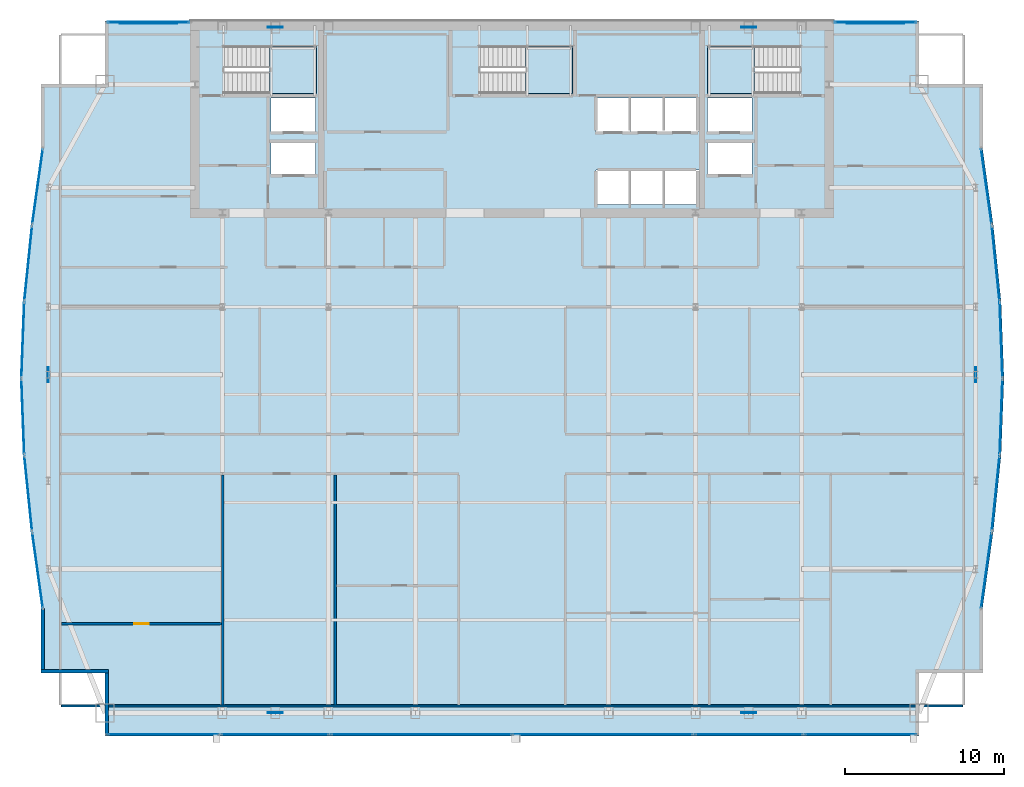
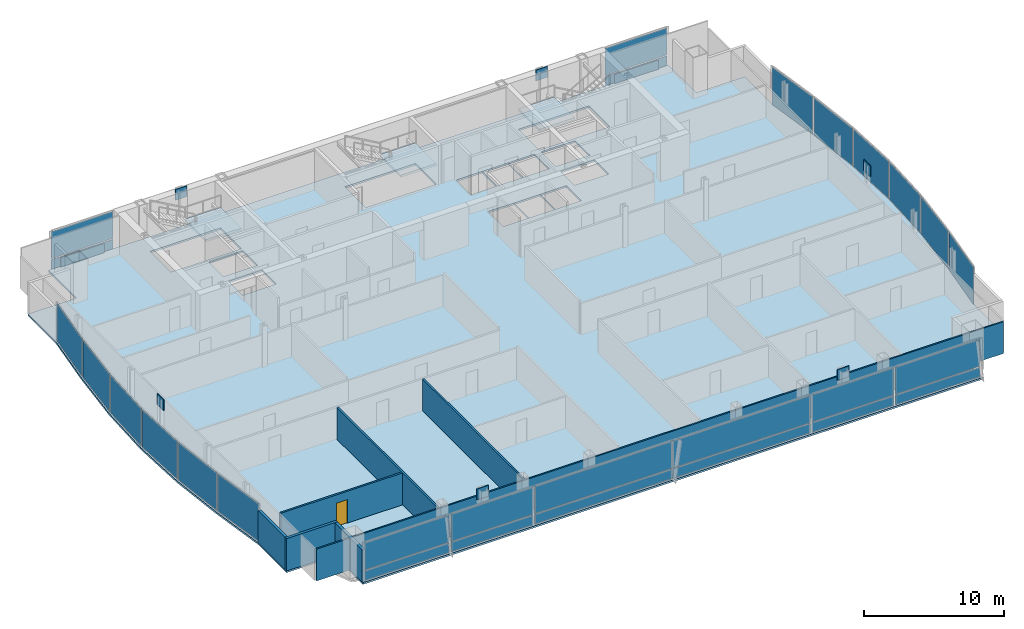
# One storey, part 26 of 32: 36 plates, 7 walls, 4 slabs, 1 door, 1 opening, 22 elements without a shape of their own.
"""IFC4 building model written with IfcOpenShell, lengths in metres."""

import ifcopenshell
import ifcopenshell.guid

model = None  # the IFC model being written
_history = None  # IfcOwnerHistory: only IFC2X3 demands one
_inside = {}  # id of a spatial element -> (the spatial element, [elements in it])
_under = {}  # id of a project, library or spatial element -> (it, [spatial elements below it])
_declared = {}  # id of a project -> (the project, [libraries it declares])
_typed = {}  # id of a type object -> (the type object, [elements of that type])
_made_of = {}  # id of a material, layer set ... -> (it, [elements and type objects made of it])


def new_model(schema):
    """Start an empty IFC model of exactly this schema.

    Asked for "IFC4X3", IfcOpenShell would pick the latest addendum, in which some entities
    have other attributes; the version numbers below select the first issue.
    IFC2X3 requires an IfcOwnerHistory on every rooted entity: one is made here for all.
    """
    global model, _history
    if schema == "IFC4X3":
        model = ifcopenshell.file(schema_version=(4, 3, 0, 0))
    else:
        model = ifcopenshell.file(schema=schema)
    _inside.clear()
    _under.clear()
    _declared.clear()
    _typed.clear()
    _made_of.clear()
    _history = None
    if model.schema == "IFC2X3":
        org = make("IfcOrganization", Name="unknown")
        user = make(
            "IfcPersonAndOrganization",
            ThePerson=make("IfcPerson", FamilyName="unknown"),
            TheOrganization=org,
        )
        app = make(
            "IfcApplication",
            ApplicationDeveloper=org,
            Version="unknown",
            ApplicationFullName="unknown",
            ApplicationIdentifier="unknown",
        )
        _history = make(
            "IfcOwnerHistory",
            OwningUser=user,
            OwningApplication=app,
            ChangeAction="ADDED",
            CreationDate=0,
        )
    return model


def make(cls, **values):
    """One entity of the class cls with the attributes given. An attribute that is None is left unset."""
    return model.create_entity(
        cls, **{name: value for name, value in values.items() if value is not None}
    )


def rooted(cls, **values):
    """An entity with a GlobalId (a new one), such as an element, a storey or a relation."""
    return make(cls, GlobalId=ifcopenshell.guid.new(), OwnerHistory=_history, **values)


def si_unit(unit_type, name, prefix=None):
    """IfcSIUnit, for example si_unit("LENGTHUNIT", "METRE", prefix="MILLI")."""
    return make("IfcSIUnit", UnitType=unit_type, Prefix=prefix, Name=name)


def assignment(units):
    """IfcUnitAssignment: the units of a project."""
    return None if units is None else make("IfcUnitAssignment", Units=units)


def point(xyz):
    """IfcCartesianPoint."""
    return None if xyz is None else make("IfcCartesianPoint", Coordinates=xyz)


def direction(xyz):
    """IfcDirection."""
    return None if xyz is None else make("IfcDirection", DirectionRatios=xyz)


def frame(location, z_axis=None, x_axis=None):
    """IfcAxis2Placement3D, a coordinate frame: its origin and axes. An axis left out is left unset."""
    return make(
        "IfcAxis2Placement3D",
        Location=point(location),
        Axis=direction(z_axis),
        RefDirection=direction(x_axis),
    )


def frame_2d(location, x_axis=None):
    """IfcAxis2Placement2D, a coordinate frame in the plane: its origin and x axis."""
    return make(
        "IfcAxis2Placement2D", Location=point(location), RefDirection=direction(x_axis)
    )


def origin():
    """The frame at (0, 0, 0) with its axes left unset."""
    return frame((0.0, 0.0, 0.0))


def origin_2d():
    """The frame at (0, 0) in the plane with its x axis left unset."""
    return frame_2d((0.0, 0.0))


def place(relative_to, where):
    """IfcLocalPlacement: puts the frame where relative to a parent placement (None: the world)."""
    return make(
        "IfcLocalPlacement", PlacementRelTo=relative_to, RelativePlacement=where
    )


def context(
    kind, dimensions, precision=None, world=None, true_north=None, identifier=None
):
    """IfcGeometricRepresentationContext, for example the 3D "Model" context."""
    return make(
        "IfcGeometricRepresentationContext",
        ContextIdentifier=identifier,
        ContextType=kind,
        CoordinateSpaceDimension=dimensions,
        Precision=precision,
        WorldCoordinateSystem=world,
        TrueNorth=true_north,
    )


def subcontext(parent, identifier, kind, view, scale=None):
    """IfcGeometricRepresentationSubContext, for example "Body" below "Model"."""
    return make(
        "IfcGeometricRepresentationSubContext",
        ContextIdentifier=identifier,
        ContextType=kind,
        ParentContext=parent,
        TargetScale=scale,
        TargetView=view,
    )


def project(units=None, contexts=None):
    """IfcProject with its units and contexts."""
    return rooted(
        "IfcProject",
        Name="project",
        RepresentationContexts=contexts,
        UnitsInContext=assignment(units),
    )


def spatial(cls, under=None, at=None, **own):
    """A site, building, storey or space (cls), placed at a placement, below another one or the project."""
    s = rooted(cls, ObjectPlacement=at, **own)
    if under is not None:
        _under.setdefault(under.id(), (under, []))[1].append(s)
    return s


def polyline(points):
    """IfcPolyline through the points."""
    return make("IfcPolyline", Points=[point(p) for p in points])


def profile(cls, at=None, kind="AREA", **sizes):
    """A parametric profile (cls). Its sizes go by their IFC names, for example OverallWidth=200.0."""
    return make(cls, ProfileType=kind, Position=at, **sizes)


def rectangle(**sizes):
    """IfcRectangleProfileDef."""
    return profile("IfcRectangleProfileDef", **sizes)


def outline(outer, holes=None, kind="AREA"):
    """IfcArbitraryClosedProfileDef: a profile drawn as a closed curve; with holes, ...WithVoids."""
    if holes is None:
        return make("IfcArbitraryClosedProfileDef", ProfileType=kind, OuterCurve=outer)
    return make(
        "IfcArbitraryProfileDefWithVoids",
        ProfileType=kind,
        OuterCurve=outer,
        InnerCurves=holes,
    )


def extrude(swept, where, along, depth):
    """IfcExtrudedAreaSolid: the profile swept, set in the frame where, extruded along a direction by depth."""
    return make(
        "IfcExtrudedAreaSolid",
        SweptArea=swept,
        Position=where,
        ExtrudedDirection=direction(along),
        Depth=depth,
    )


def shape(context_of_items, identifier, shape_type, items):
    """IfcShapeRepresentation: the items that make up one representation, for example the "Body"."""
    return make(
        "IfcShapeRepresentation",
        ContextOfItems=context_of_items,
        RepresentationIdentifier=identifier,
        RepresentationType=shape_type,
        Items=items,
    )


def material(Name=None, Category=None):
    """IfcMaterial."""
    return make("IfcMaterial", Name=Name, Category=Category)


def layer(
    of_material, thickness, ventilated=None, Name=None, Category=None, Priority=None
):
    """IfcMaterialLayer: one layer of a wall or slab, of a material (None: an air gap)."""
    return make(
        "IfcMaterialLayer",
        Material=of_material,
        LayerThickness=thickness,
        IsVentilated=ventilated,
        Name=Name,
        Category=Category,
        Priority=Priority,
    )


def layer_set(layers, Name=None):
    """IfcMaterialLayerSet."""
    return make("IfcMaterialLayerSet", MaterialLayers=layers, LayerSetName=Name)


def made_of(thing, what):
    """Note that an element or type object is made of a material, layer set ...; save() writes the relation."""
    if what is not None:
        _made_of.setdefault(what.id(), (what, []))[1].append(thing)
    return thing


def type_object(cls, material=None, **own):
    """A type object (cls), such as IfcWallType, which elements share."""
    return made_of(rooted(cls, **own), material)


def element(
    cls,
    number,
    at=None,
    inside=None,
    cuts=None,
    type_object=None,
    material=None,
    context=None,
    identifier="Body",
    shape_type=None,
    held_by="IfcProductDefinitionShape",
    body=None,
    shapes=None,
    **own,
):
    """One element of the class cls, such as IfcWall. Its Tag is "e" and its number.

    at: its placement. inside: the storey or other place that contains it. cuts: it is an
    opening in that element (IfcRelVoidsElement). A single representation is given by context,
    identifier, shape_type and body (its items); several are given by shapes. held_by: the class
    of the entity that holds the representations. save() writes the other relations.
    """
    e = rooted(cls, Tag="e%d" % number, ObjectPlacement=at, **own)
    if body is not None:
        shapes = [shape(context, identifier, shape_type, body)]
    if shapes is not None:
        e.Representation = make(held_by, Representations=shapes)
    if inside is not None:
        _inside.setdefault(inside.id(), (inside, []))[1].append(e)
    if cuts is not None:
        rooted(
            "IfcRelVoidsElement", RelatingBuildingElement=cuts, RelatedOpeningElement=e
        )
    if type_object is not None:
        _typed.setdefault(type_object.id(), (type_object, []))[1].append(e)
    return made_of(e, material)


def fill(opening, filler):
    """IfcRelFillsElement: the door or window that sits in an opening."""
    return rooted(
        "IfcRelFillsElement",
        RelatingOpeningElement=opening,
        RelatedBuildingElement=filler,
    )


def aggregate(whole, parts):
    """IfcRelAggregates: a whole, such as a stair, and the parts it consists of."""
    return rooted("IfcRelAggregates", RelatingObject=whole, RelatedObjects=parts)


def save(model, path):
    """Write the relations noted so far, then the file.

    IfcRelAggregates (storeys below a building ...), IfcRelContainedInSpatialStructure (elements
    in a storey), IfcRelDefinesByType, IfcRelAssociatesMaterial and IfcRelDeclares: one each for
    every whole, place, type object, material and project.
    """
    for whole, parts in _under.values():
        aggregate(whole, parts)
    for where, things in _inside.values():
        rooted(
            "IfcRelContainedInSpatialStructure",
            RelatedElements=things,
            RelatingStructure=where,
        )
    for kind, things in _typed.values():
        rooted("IfcRelDefinesByType", RelatedObjects=things, RelatingType=kind)
    for what, things in _made_of.values():
        rooted("IfcRelAssociatesMaterial", RelatedObjects=things, RelatingMaterial=what)
    for by, libraries in _declared.values():
        rooted("IfcRelDeclares", RelatingContext=by, RelatedDefinitions=libraries)
    model.write(path)


model = new_model("IFC4")

# Units and contexts
model_context = context("Model", 3, precision=1e-05, world=origin(), true_north=direction((0.0, 1.0)))
body_context = subcontext(model_context, "Body", "Model", "MODEL_VIEW")
ifc_project = project(units=[si_unit("LENGTHUNIT", "METRE"), si_unit("AREAUNIT", "SQUARE_METRE"), si_unit("VOLUMEUNIT", "CUBIC_METRE"), si_unit("PLANEANGLEUNIT", "RADIAN"), si_unit("MASSUNIT", "GRAM", prefix="KILO")], contexts=[model_context])

# Site, building, storey
site_placement = place(None, origin())
site = spatial("IfcSite", under=ifc_project, at=site_placement, CompositionType="ELEMENT")
building_placement = place(site_placement, origin())
building = spatial("IfcBuilding", under=site, at=building_placement, Name="Khoronbel Lancet Exchange", CompositionType="ELEMENT")
storey_placement = place(building_placement, frame((0.0, 0.0, 228.199951171875)))
storey = spatial("IfcBuildingStorey", under=building, at=storey_placement, Name="L58", CompositionType="ELEMENT", Elevation=228.199951171875)

# Curtain wall, plate
ifc_material_1 = material(Name="Low-E Solar Control Insulating Glass", Category="glass")
curtain_wall_type_1 = type_object("IfcCurtainWallType", Name="CW-4", PredefinedType="NOTDEFINED", material=ifc_material_1)
curtain_wall_1_placement = place(storey_placement, origin())
curtain_wall_1 = element("IfcCurtainWall", 1, at=curtain_wall_1_placement, inside=storey, type_object=curtain_wall_type_1, Name="Unitised curtain wall CW-L58-E05", PredefinedType="NOTDEFINED")
ifc_material_2 = material(Name="Bronze-Anodised Aluminium 6063-T6", Category="aluminium")
ifc_layer_1 = layer(ifc_material_2, 0.050048828125, Name="Bronze-Anodised Aluminium 6063-T6")
ifc_layer_set_1 = layer_set([ifc_layer_1], Name="Bronze-Anodised Aluminium 6063-T6")
plate_type_1 = type_object("IfcPlateType", Name="PLT-CSP1", PredefinedType="SHEET", material=ifc_layer_set_1)
plate_1_placement = place(storey_placement, frame((6.013916015625, 23.95849609375, 0.0849609375), z_axis=(0.0, 0.0, 1.0), x_axis=(-0.102116158773, 0.994772481584, 0.0)))
plate_1 = element("IfcPlate", 2, at=plate_1_placement, type_object=plate_type_1, Name="CW4 panel 1.1", PredefinedType="CURTAIN_PANEL", context=body_context, shape_type="SweptSolid", body=[
    extrude(rectangle(XDim=4.704345703125, YDim=0.0380859375, at=origin_2d()), origin(), (0.0, 0.0, 1.0), 3.27001953125),
])
aggregate(curtain_wall_1, [plate_1])

curtain_wall_2_placement = place(storey_placement, origin())
curtain_wall_2 = element("IfcCurtainWall", 3, at=curtain_wall_2_placement, inside=storey, type_object=curtain_wall_type_1, Name="Unitised curtain wall CW-L58-E06", PredefinedType="NOTDEFINED")
plate_2_placement = place(storey_placement, frame((5.67529296875, 28.78662109375, 0.0849609375), z_axis=(0.0, 0.0, 1.0), x_axis=(-0.037533095775, 0.99929538512, 0.0)))
plate_2 = element("IfcPlate", 4, at=plate_2_placement, type_object=plate_type_1, Name="CW4 panel 1.1", PredefinedType="CURTAIN_PANEL", context=body_context, shape_type="SweptSolid", body=[
    extrude(rectangle(XDim=4.680419921875, YDim=0.0380859375, at=origin_2d()), origin(), (0.0, 0.0, 1.0), 3.27001953125),
])
aggregate(curtain_wall_2, [plate_2])

curtain_wall_3_placement = place(storey_placement, origin())
curtain_wall_3 = element("IfcCurtainWall", 5, at=curtain_wall_3_placement, inside=storey, type_object=curtain_wall_type_1, Name="Unitised curtain wall CW-L58-E07", PredefinedType="NOTDEFINED")
plate_3_placement = place(storey_placement, frame((5.67529296875, 33.613525390625, 0.0849609375), z_axis=(0.0, 0.0, 1.0), x_axis=(0.037533095775, 0.99929538512, 0.0)))
plate_3 = element("IfcPlate", 6, at=plate_3_placement, type_object=plate_type_1, Name="CW4 panel 1.1", PredefinedType="CURTAIN_PANEL", context=body_context, shape_type="SweptSolid", body=[
    extrude(rectangle(XDim=4.680419921875, YDim=0.0380859375, at=origin_2d()), origin(), (0.0, 0.0, 1.0), 3.27001953125),
])
aggregate(curtain_wall_3, [plate_3])

curtain_wall_4_placement = place(storey_placement, origin())
curtain_wall_4 = element("IfcCurtainWall", 7, at=curtain_wall_4_placement, inside=storey, type_object=curtain_wall_type_1, Name="Unitised curtain wall CW-L58-E08", PredefinedType="NOTDEFINED")
plate_4_placement = place(storey_placement, frame((6.013916015625, 38.44140625, 0.0849609375), z_axis=(0.0, 0.0, 1.0), x_axis=(0.102116158773, 0.994772481584, 0.0)))
plate_4 = element("IfcPlate", 8, at=plate_4_placement, type_object=plate_type_1, Name="CW4 panel 1.1", PredefinedType="CURTAIN_PANEL", context=body_context, shape_type="SweptSolid", body=[
    extrude(rectangle(XDim=4.704345703125, YDim=0.0380859375, at=origin_2d()), origin(), (0.0, 0.0, 1.0), 3.27001953125),
])
aggregate(curtain_wall_4, [plate_4])

curtain_wall_type_2 = type_object("IfcCurtainWallType", Name="CW-3", PredefinedType="NOTDEFINED", material=ifc_material_1)
curtain_wall_5_placement = place(storey_placement, origin())
curtain_wall_5 = element("IfcCurtainWall", 9, at=curtain_wall_5_placement, inside=storey, type_object=curtain_wall_type_2, Name="Unitised curtain wall CW-L58-NWFLK", PredefinedType="NOTDEFINED")
plate_5_placement = place(storey_placement, frame((13.580078125, 53.550048828125, 0.0498046875), z_axis=(0.0, 0.0, 1.0), x_axis=(-1.0, 0.0, 0.0)))
plate_5 = element("IfcPlate", 10, at=plate_5_placement, type_object=plate_type_1, Name="Insulated bronze spandrel cassette CW-L58-NWFLK", PredefinedType="SHEET", context=body_context, shape_type="SweptSolid", body=[
    extrude(rectangle(XDim=3.60009765625, YDim=0.050048828125, at=origin_2d()), origin(), (0.0, 0.0, 1.0), 0.800048828125),
])

curtain_wall_6_placement = place(storey_placement, origin())
curtain_wall_6 = element("IfcCurtainWall", 11, at=curtain_wall_6_placement, inside=storey, type_object=curtain_wall_type_2, Name="Unitised curtain wall CW-L58-NEFLK", PredefinedType="NOTDEFINED")
plate_6_placement = place(storey_placement, frame((59.320068359375, 53.550048828125, 0.0498046875), z_axis=(0.0, 0.0, 1.0), x_axis=(-1.0, 0.0, 0.0)))
plate_6 = element("IfcPlate", 12, at=plate_6_placement, type_object=plate_type_1, Name="Insulated bronze spandrel cassette CW-L58-NEFLK", PredefinedType="SHEET", context=body_context, shape_type="SweptSolid", body=[
    extrude(rectangle(XDim=3.60009765625, YDim=0.050048828125, at=origin_2d()), origin(), (0.0, 0.0, 1.0), 0.800048828125),
])

curtain_wall_7_placement = place(storey_placement, origin())
curtain_wall_7 = element("IfcCurtainWall", 13, at=curtain_wall_7_placement, inside=storey, type_object=curtain_wall_type_1, Name="Unitised curtain wall CW-L58-E18", PredefinedType="NOTDEFINED")
plate_7_placement = place(storey_placement, frame((66.88623046875, 38.44140625, 0.0849609375), z_axis=(0.0, 0.0, 1.0), x_axis=(0.102116158773, -0.994772481584, 0.0)))
plate_7 = element("IfcPlate", 14, at=plate_7_placement, type_object=plate_type_1, Name="CW4 panel 1.1", PredefinedType="CURTAIN_PANEL", context=body_context, shape_type="SweptSolid", body=[
    extrude(rectangle(XDim=4.704345703125, YDim=0.0380859375, at=origin_2d()), origin(), (0.0, 0.0, 1.0), 3.27001953125),
])
aggregate(curtain_wall_7, [plate_7])

curtain_wall_8_placement = place(storey_placement, origin())
curtain_wall_8 = element("IfcCurtainWall", 15, at=curtain_wall_8_placement, inside=storey, type_object=curtain_wall_type_1, Name="Unitised curtain wall CW-L58-E19", PredefinedType="NOTDEFINED")
plate_8_placement = place(storey_placement, frame((67.224609375, 33.613525390625, 0.0849609375), z_axis=(0.0, 0.0, 1.0), x_axis=(0.037533095775, -0.99929538512, 0.0)))
plate_8 = element("IfcPlate", 16, at=plate_8_placement, type_object=plate_type_1, Name="CW4 panel 1.1", PredefinedType="CURTAIN_PANEL", context=body_context, shape_type="SweptSolid", body=[
    extrude(rectangle(XDim=4.680419921875, YDim=0.0380859375, at=origin_2d()), origin(), (0.0, 0.0, 1.0), 3.27001953125),
])
aggregate(curtain_wall_8, [plate_8])

curtain_wall_9_placement = place(storey_placement, origin())
curtain_wall_9 = element("IfcCurtainWall", 17, at=curtain_wall_9_placement, inside=storey, type_object=curtain_wall_type_1, Name="Unitised curtain wall CW-L58-E20", PredefinedType="NOTDEFINED")
plate_9_placement = place(storey_placement, frame((67.224609375, 28.78662109375, 0.0849609375), z_axis=(0.0, 0.0, 1.0), x_axis=(-0.037533095775, -0.99929538512, 0.0)))
plate_9 = element("IfcPlate", 18, at=plate_9_placement, type_object=plate_type_1, Name="CW4 panel 1.1", PredefinedType="CURTAIN_PANEL", context=body_context, shape_type="SweptSolid", body=[
    extrude(rectangle(XDim=4.680419921875, YDim=0.0380859375, at=origin_2d()), origin(), (0.0, 0.0, 1.0), 3.27001953125),
])
aggregate(curtain_wall_9, [plate_9])

curtain_wall_10_placement = place(storey_placement, origin())
curtain_wall_10 = element("IfcCurtainWall", 19, at=curtain_wall_10_placement, inside=storey, type_object=curtain_wall_type_1, Name="Unitised curtain wall CW-L58-E21", PredefinedType="NOTDEFINED")
plate_10_placement = place(storey_placement, frame((66.88623046875, 23.95849609375, 0.0849609375), z_axis=(0.0, 0.0, 1.0), x_axis=(-0.102116158773, -0.994772481584, 0.0)))
plate_10 = element("IfcPlate", 20, at=plate_10_placement, type_object=plate_type_1, Name="CW4 panel 1.1", PredefinedType="CURTAIN_PANEL", context=body_context, shape_type="SweptSolid", body=[
    extrude(rectangle(XDim=4.704345703125, YDim=0.0380859375, at=origin_2d()), origin(), (0.0, 0.0, 1.0), 3.27001953125),
])
aggregate(curtain_wall_10, [plate_10])

# Curtain wall, plates
curtain_wall_11_placement = place(storey_placement, origin())
curtain_wall_11 = element("IfcCurtainWall", 21, at=curtain_wall_11_placement, inside=storey, type_object=curtain_wall_type_2, Name="Unitised curtain wall CW-L58-SWB", PredefinedType="NOTDEFINED")
plate_11_placement = place(storey_placement, frame((21.550048828125, 8.7900390625, 0.0849609375), z_axis=(0.0, 0.0, 1.0), x_axis=(1.0, 0.0, 0.0)))
plate_11 = element("IfcPlate", 22, at=plate_11_placement, type_object=plate_type_1, Name="CW3 panel 1.1", PredefinedType="CURTAIN_PANEL", context=body_context, shape_type="SweptSolid", body=[
    extrude(rectangle(XDim=6.72998046875, YDim=0.0380859375, at=origin_2d()), origin(), (0.0, 0.0, 1.0), 0.822509765625),
])
plate_12_placement = place(storey_placement, frame((21.550048828125, 8.7900390625, 0.99267578125), z_axis=(0.0, 0.0, 1.0), x_axis=(1.0, 0.0, 0.0)))
plate_12 = element("IfcPlate", 23, at=plate_12_placement, type_object=plate_type_1, Name="CW3 panel 1.2", PredefinedType="CURTAIN_PANEL", context=body_context, shape_type="SweptSolid", body=[
    extrude(rectangle(XDim=6.72998046875, YDim=0.0380859375, at=origin_2d()), origin(), (0.0, 0.0, 1.0), 2.362548828125),
])
aggregate(curtain_wall_11, [plate_11, plate_12])

curtain_wall_12_placement = place(storey_placement, origin())
curtain_wall_12 = element("IfcCurtainWall", 24, at=curtain_wall_12_placement, inside=storey, type_object=curtain_wall_type_2, Name="Unitised curtain wall CW-L58-SEB", PredefinedType="NOTDEFINED")
plate_13_placement = place(storey_placement, frame((51.35009765625, 8.7900390625, 0.0849609375), z_axis=(0.0, 0.0, 1.0), x_axis=(1.0, 0.0, 0.0)))
plate_13 = element("IfcPlate", 25, at=plate_13_placement, type_object=plate_type_1, Name="CW3 panel 1.1", PredefinedType="CURTAIN_PANEL", context=body_context, shape_type="SweptSolid", body=[
    extrude(rectangle(XDim=6.72998046875, YDim=0.0380859375, at=origin_2d()), origin(), (0.0, 0.0, 1.0), 0.822509765625),
])
plate_14_placement = place(storey_placement, frame((51.35009765625, 8.7900390625, 0.99267578125), z_axis=(0.0, 0.0, 1.0), x_axis=(1.0, 0.0, 0.0)))
plate_14 = element("IfcPlate", 26, at=plate_14_placement, type_object=plate_type_1, Name="CW3 panel 1.2", PredefinedType="CURTAIN_PANEL", context=body_context, shape_type="SweptSolid", body=[
    extrude(rectangle(XDim=6.72998046875, YDim=0.0380859375, at=origin_2d()), origin(), (0.0, 0.0, 1.0), 2.362548828125),
])
aggregate(curtain_wall_12, [plate_13, plate_14])

# Plate
ifc_layer_2 = layer(ifc_material_1, 0.035888671875, Name="Low-E Solar Control Insulating Glass")
ifc_layer_set_2 = layer_set([ifc_layer_2], Name="Low-E Solar Control Insulating Glass")
plate_type_2 = type_object("IfcPlateType", Name="PLT-CWP1", PredefinedType="CURTAIN_PANEL", material=ifc_layer_set_2)
plate_15_placement = place(storey_placement, frame((13.580078125, 53.610107421875, 0.0849609375), z_axis=(0.0, 0.0, 1.0), x_axis=(-1.0, 0.0, 0.0)))
plate_15 = element("IfcPlate", 27, at=plate_15_placement, type_object=plate_type_2, Name="CW3 panel 1.1", PredefinedType="CURTAIN_PANEL", context=body_context, shape_type="SweptSolid", body=[
    extrude(rectangle(XDim=5.110107421875, YDim=0.0380859375, at=origin_2d()), origin(), (0.0, 0.0, 1.0), 0.822509765625),
])

plate_16_placement = place(storey_placement, frame((13.580078125, 53.610107421875, 0.99267578125), z_axis=(0.0, 0.0, 1.0), x_axis=(-1.0, 0.0, 0.0)))
plate_16 = element("IfcPlate", 28, at=plate_16_placement, type_object=plate_type_2, Name="CW3 panel 1.2", PredefinedType="CURTAIN_PANEL", context=body_context, shape_type="SweptSolid", body=[
    extrude(rectangle(XDim=5.110107421875, YDim=0.0380859375, at=origin_2d()), origin(), (0.0, 0.0, 1.0), 2.362548828125),
])

aggregate(curtain_wall_5, [plate_15, plate_16, plate_5])

plate_17_placement = place(storey_placement, frame((59.320068359375, 53.610107421875, 0.0849609375), z_axis=(0.0, 0.0, 1.0), x_axis=(-1.0, 0.0, 0.0)))
plate_17 = element("IfcPlate", 29, at=plate_17_placement, type_object=plate_type_2, Name="CW3 panel 1.1", PredefinedType="CURTAIN_PANEL", context=body_context, shape_type="SweptSolid", body=[
    extrude(rectangle(XDim=5.110107421875, YDim=0.0380859375, at=origin_2d()), origin(), (0.0, 0.0, 1.0), 0.822509765625),
])

plate_18_placement = place(storey_placement, frame((59.320068359375, 53.610107421875, 0.99267578125), z_axis=(0.0, 0.0, 1.0), x_axis=(-1.0, 0.0, 0.0)))
plate_18 = element("IfcPlate", 30, at=plate_18_placement, type_object=plate_type_2, Name="CW3 panel 1.2", PredefinedType="CURTAIN_PANEL", context=body_context, shape_type="SweptSolid", body=[
    extrude(rectangle(XDim=5.110107421875, YDim=0.0380859375, at=origin_2d()), origin(), (0.0, 0.0, 1.0), 2.362548828125),
])

aggregate(curtain_wall_6, [plate_17, plate_18, plate_6])

# Curtain wall, plates
curtain_wall_13_placement = place(storey_placement, origin())
curtain_wall_13 = element("IfcCurtainWall", 31, at=curtain_wall_13_placement, inside=storey, type_object=curtain_wall_type_2, Name="Unitised curtain wall CW-L58-SWV", PredefinedType="NOTDEFINED")
plate_19_placement = place(storey_placement, frame((14.52001953125, 8.7900390625, 0.0849609375), z_axis=(0.0, 0.0, 1.0), x_axis=(1.0, 0.0, 0.0)))
plate_19 = element("IfcPlate", 32, at=plate_19_placement, type_object=plate_type_2, Name="CW3 panel 1.1", PredefinedType="CURTAIN_PANEL", context=body_context, shape_type="SweptSolid", body=[
    extrude(rectangle(XDim=6.989990234375, YDim=0.0380859375, at=origin_2d()), origin(), (0.0, 0.0, 1.0), 0.822509765625),
])
plate_20_placement = place(storey_placement, frame((14.52001953125, 8.7900390625, 0.99267578125), z_axis=(0.0, 0.0, 1.0), x_axis=(1.0, 0.0, 0.0)))
plate_20 = element("IfcPlate", 33, at=plate_20_placement, type_object=plate_type_2, Name="CW3 panel 1.2", PredefinedType="CURTAIN_PANEL", context=body_context, shape_type="SweptSolid", body=[
    extrude(rectangle(XDim=6.989990234375, YDim=0.0380859375, at=origin_2d()), origin(), (0.0, 0.0, 1.0), 2.362548828125),
])
aggregate(curtain_wall_13, [plate_19, plate_20])

curtain_wall_14_placement = place(storey_placement, origin())
curtain_wall_14 = element("IfcCurtainWall", 34, at=curtain_wall_14_placement, inside=storey, type_object=curtain_wall_type_2, Name="Unitised curtain wall CW-L58-SCV", PredefinedType="NOTDEFINED")
plate_21_placement = place(storey_placement, frame((30.746337890625, 8.7900390625, 0.0849609375), z_axis=(0.0, 0.0, 1.0), x_axis=(1.0, 0.0, 0.0)))
plate_21 = element("IfcPlate", 35, at=plate_21_placement, type_object=plate_type_2, Name="CW3 panel 1.1", PredefinedType="CURTAIN_PANEL", context=body_context, shape_type="SweptSolid", body=[
    extrude(rectangle(XDim=11.322509765625, YDim=0.0380859375, at=origin_2d()), origin(), (0.0, 0.0, 1.0), 0.822509765625),
])
plate_22_placement = place(storey_placement, frame((30.746337890625, 8.7900390625, 0.99267578125), z_axis=(0.0, 0.0, 1.0), x_axis=(1.0, 0.0, 0.0)))
plate_22 = element("IfcPlate", 36, at=plate_22_placement, type_object=plate_type_2, Name="CW3 panel 1.2", PredefinedType="CURTAIN_PANEL", context=body_context, shape_type="SweptSolid", body=[
    extrude(rectangle(XDim=11.322509765625, YDim=0.0380859375, at=origin_2d()), origin(), (0.0, 0.0, 1.0), 2.362548828125),
])
plate_23_placement = place(storey_placement, frame((42.15380859375, 8.7900390625, 0.0849609375), z_axis=(0.0, 0.0, 1.0), x_axis=(1.0, 0.0, 0.0)))
plate_23 = element("IfcPlate", 37, at=plate_23_placement, type_object=plate_type_2, Name="CW3 panel 2.1", PredefinedType="CURTAIN_PANEL", context=body_context, shape_type="SweptSolid", body=[
    extrude(rectangle(XDim=11.322509765625, YDim=0.0380859375, at=origin_2d()), origin(), (0.0, 0.0, 1.0), 0.822509765625),
])
plate_24_placement = place(storey_placement, frame((42.15380859375, 8.7900390625, 0.99267578125), z_axis=(0.0, 0.0, 1.0), x_axis=(1.0, 0.0, 0.0)))
plate_24 = element("IfcPlate", 38, at=plate_24_placement, type_object=plate_type_2, Name="CW3 panel 2.2", PredefinedType="CURTAIN_PANEL", context=body_context, shape_type="SweptSolid", body=[
    extrude(rectangle(XDim=11.322509765625, YDim=0.0380859375, at=origin_2d()), origin(), (0.0, 0.0, 1.0), 2.362548828125),
])
aggregate(curtain_wall_14, [plate_21, plate_22, plate_23, plate_24])

curtain_wall_15_placement = place(storey_placement, origin())
curtain_wall_15 = element("IfcCurtainWall", 39, at=curtain_wall_15_placement, inside=storey, type_object=curtain_wall_type_2, Name="Unitised curtain wall CW-L58-SEV", PredefinedType="NOTDEFINED")
plate_25_placement = place(storey_placement, frame((58.3798828125, 8.7900390625, 0.0849609375), z_axis=(0.0, 0.0, 1.0), x_axis=(1.0, 0.0, 0.0)))
plate_25 = element("IfcPlate", 40, at=plate_25_placement, type_object=plate_type_2, Name="CW3 panel 1.1", PredefinedType="CURTAIN_PANEL", context=body_context, shape_type="SweptSolid", body=[
    extrude(rectangle(XDim=6.989990234375, YDim=0.0380859375, at=origin_2d()), origin(), (0.0, 0.0, 1.0), 0.822509765625),
])
plate_26_placement = place(storey_placement, frame((58.3798828125, 8.7900390625, 0.99267578125), z_axis=(0.0, 0.0, 1.0), x_axis=(1.0, 0.0, 0.0)))
plate_26 = element("IfcPlate", 41, at=plate_26_placement, type_object=plate_type_2, Name="CW3 panel 1.2", PredefinedType="CURTAIN_PANEL", context=body_context, shape_type="SweptSolid", body=[
    extrude(rectangle(XDim=6.989990234375, YDim=0.0380859375, at=origin_2d()), origin(), (0.0, 0.0, 1.0), 2.362548828125),
])
aggregate(curtain_wall_15, [plate_25, plate_26])

# Curtain wall, plate
curtain_wall_16_placement = place(storey_placement, origin())
curtain_wall_16 = element("IfcCurtainWall", 42, at=curtain_wall_16_placement, inside=storey, type_object=curtain_wall_type_1, Name="Unitised curtain wall CW-L58-E04", PredefinedType="NOTDEFINED")
ifc_material_3 = material(Name="Ceramic-Fritted Laminated Insulating Glass", Category="glass")
ifc_layer_3 = layer(ifc_material_3, 0.0419921875, Name="Ceramic-Fritted Laminated Insulating Glass")
ifc_layer_set_3 = layer_set([ifc_layer_3], Name="Ceramic-Fritted Laminated Insulating Glass")
plate_type_3 = type_object("IfcPlateType", Name="PLT-CWP2", PredefinedType="CURTAIN_PANEL", material=ifc_layer_set_3)
plate_27_placement = place(storey_placement, frame((6.600830078125, 19.125244140625, 0.0849609375), z_axis=(0.0, 0.0, 1.0), x_axis=(-0.138850215989, 0.990313393588, 0.0)))
plate_27 = element("IfcPlate", 43, at=plate_27_placement, type_object=plate_type_3, Name="CW4 panel 1.1", PredefinedType="CURTAIN_PANEL", context=body_context, shape_type="SweptSolid", body=[
    extrude(rectangle(XDim=4.735107421875, YDim=0.0380859375, at=origin_2d()), origin(), (0.0, 0.0, 1.0), 3.27001953125),
])
aggregate(curtain_wall_16, [plate_27])

curtain_wall_17_placement = place(storey_placement, origin())
curtain_wall_17 = element("IfcCurtainWall", 44, at=curtain_wall_17_placement, inside=storey, type_object=curtain_wall_type_1, Name="Unitised curtain wall CW-L58-E09", PredefinedType="NOTDEFINED")
plate_28_placement = place(storey_placement, frame((6.600830078125, 43.27490234375, 0.0849609375), z_axis=(0.0, 0.0, 1.0), x_axis=(0.138850215989, 0.990313393588, 0.0)))
plate_28 = element("IfcPlate", 45, at=plate_28_placement, type_object=plate_type_3, Name="CW4 panel 1.1", PredefinedType="CURTAIN_PANEL", context=body_context, shape_type="SweptSolid", body=[
    extrude(rectangle(XDim=4.735107421875, YDim=0.0380859375, at=origin_2d()), origin(), (0.0, 0.0, 1.0), 3.27001953125),
])
aggregate(curtain_wall_17, [plate_28])

curtain_wall_18_placement = place(storey_placement, origin())
curtain_wall_18 = element("IfcCurtainWall", 46, at=curtain_wall_18_placement, inside=storey, type_object=curtain_wall_type_1, Name="Unitised curtain wall CW-L58-E17", PredefinedType="NOTDEFINED")
plate_29_placement = place(storey_placement, frame((66.299072265625, 43.27490234375, 0.0849609375), z_axis=(0.0, 0.0, 1.0), x_axis=(0.138850215989, -0.990313393588, 0.0)))
plate_29 = element("IfcPlate", 47, at=plate_29_placement, type_object=plate_type_3, Name="CW4 panel 1.1", PredefinedType="CURTAIN_PANEL", context=body_context, shape_type="SweptSolid", body=[
    extrude(rectangle(XDim=4.735107421875, YDim=0.0380859375, at=origin_2d()), origin(), (0.0, 0.0, 1.0), 3.27001953125),
])
aggregate(curtain_wall_18, [plate_29])

curtain_wall_19_placement = place(storey_placement, origin())
curtain_wall_19 = element("IfcCurtainWall", 48, at=curtain_wall_19_placement, inside=storey, type_object=curtain_wall_type_1, Name="Unitised curtain wall CW-L58-E22", PredefinedType="NOTDEFINED")
plate_30_placement = place(storey_placement, frame((66.299072265625, 19.125244140625, 0.0849609375), z_axis=(0.0, 0.0, 1.0), x_axis=(-0.138850215989, -0.990313393588, 0.0)))
plate_30 = element("IfcPlate", 49, at=plate_30_placement, type_object=plate_type_3, Name="CW4 panel 1.1", PredefinedType="CURTAIN_PANEL", context=body_context, shape_type="SweptSolid", body=[
    extrude(rectangle(XDim=4.735107421875, YDim=0.0380859375, at=origin_2d()), origin(), (0.0, 0.0, 1.0), 3.27001953125),
])
aggregate(curtain_wall_19, [plate_30])

# Plates
ifc_material_4 = material(Name="Steel S460", Category="steel")
ifc_layer_4 = layer(ifc_material_4, 0.06005859375, Name="Steel S460")
ifc_layer_set_4 = layer_set([ifc_layer_4], Name="Steel S460")
plate_type_4 = type_object("IfcPlateType", Name="PLT-ND2", PredefinedType="USERDEFINED", material=ifc_layer_set_4)
for number, where, z_axis, x_axis, name in (
    (50, (21.5625, 10.14990234375, 2.77490234375), (0.0, 0.0, 1.0), (1.0, 0.0, 0.0), "ND2 perimeter brace node gusset T19-S-W"),
    (51, (51.33740234375, 10.14990234375, 2.77490234375), (0.0, 0.0, 1.0), (1.0, 0.0, 0.0), "ND2 perimeter brace node gusset T19-S-E"),
    (52, (21.5625, 53.280029296875, 2.77490234375), (0.0, 0.0, 1.0), (1.0, 0.0, 0.0), "ND2 perimeter brace node gusset T19-N-W"),
    (53, (51.33740234375, 53.280029296875, 2.77490234375), (0.0, 0.0, 1.0), (1.0, 0.0, 0.0), "ND2 perimeter brace node gusset T19-N-E"),
    (54, (7.27001953125, 31.425048828125, 2.77490234375), (0.0, 0.0, 1.0), (0.0, 1.0, 0.0), "ND2 perimeter brace node gusset T19-W-P"),
    (55, (65.6298828125, 31.425048828125, 2.77490234375), (0.0, 0.0, 1.0), (0.0, 1.0, 0.0), "ND2 perimeter brace node gusset T19-E-P"),
):
    element("IfcPlate", number, at=place(storey_placement, frame(where, z_axis=z_axis, x_axis=x_axis)), inside=storey, type_object=plate_type_4, Name=name, ObjectType="GUSSET_PLATE", PredefinedType="USERDEFINED", context=body_context, shape_type="SweptSolid", body=[
        extrude(rectangle(XDim=0.949951171875, YDim=0.06005859375, at=origin_2d()), origin(), (0.0, 0.0, 1.0), 0.949951171875),
    ])

# Slab
ifc_material_5 = material(Name="Concrete C40/50", Category="concrete")
ifc_layer_5 = layer(ifc_material_5, 0.159912109375, Name="Concrete C40/50")
ifc_layer_set_5 = layer_set([ifc_layer_5], Name="Concrete C40/50")
slab_type_1 = type_object("IfcSlabType", Name="SL-FL160", PredefinedType="FLOOR", material=ifc_layer_set_5)
slab_1_placement = place(storey_placement, frame((0.0, 0.0, -0.159912109375)))
element("IfcSlab", 56, at=slab_1_placement, inside=storey, type_object=slab_type_1, Name="Level L58 composite structural floor slab", PredefinedType="FLOOR", context=body_context, shape_type="SweptSolid", body=[
    extrude(outline(polyline([(10.85009765625, 8.699951171875), (62.050048828125, 8.699951171875), (62.050048828125, 12.699951171875), (66.050048828125, 12.699951171875), (66.050048828125, 16.699951171875), (66.727783203125, 21.533203125), (67.223876953125, 26.36669921875), (67.405517578125, 31.199951171875), (67.223876953125, 36.033203125), (66.727783203125, 40.86669921875), (66.050048828125, 45.699951171875), (66.050048828125, 49.699951171875), (62.050048828125, 49.699951171875), (62.050048828125, 53.699951171875), (10.85009765625, 53.699951171875), (10.85009765625, 49.699951171875), (6.85009765625, 49.699951171875), (6.85009765625, 45.699951171875), (6.17236328125, 40.86669921875), (5.67626953125, 36.033203125), (5.49462890625, 31.199951171875), (5.67626953125, 26.36669921875), (6.17236328125, 21.533203125), (6.85009765625, 16.699951171875), (6.85009765625, 12.699951171875), (10.85009765625, 12.699951171875), (10.85009765625, 8.699951171875)]), holes=[polyline([(18.324951171875, 49.1201171875), (24.14990234375, 49.1201171875), (24.14990234375, 52.10009765625), (18.324951171875, 52.10009765625), (18.324951171875, 49.1201171875)]), polyline([(48.75, 49.1201171875), (54.574951171875, 49.1201171875), (54.574951171875, 52.10009765625), (48.75, 52.10009765625), (48.75, 49.1201171875)]), polyline([(34.425048828125, 49.1201171875), (40.25, 49.1201171875), (40.25, 52.10009765625), (34.425048828125, 52.10009765625), (34.425048828125, 49.1201171875)]), polyline([(41.739990234375, 46.75), (43.8798828125, 46.75), (43.8798828125, 48.85009765625), (41.739990234375, 48.85009765625), (41.739990234375, 46.75)]), polyline([(43.89990234375, 46.75), (46.0400390625, 46.75), (46.0400390625, 48.85009765625), (43.89990234375, 48.85009765625), (43.89990234375, 46.75)]), polyline([(46.06005859375, 46.75), (48.199951171875, 46.75), (48.199951171875, 48.85009765625), (46.06005859375, 48.85009765625), (46.06005859375, 46.75)]), polyline([(41.739990234375, 42.14990234375), (43.8798828125, 42.14990234375), (43.8798828125, 44.300048828125), (41.739990234375, 44.300048828125), (41.739990234375, 42.14990234375)]), polyline([(43.89990234375, 42.14990234375), (46.0400390625, 42.14990234375), (46.0400390625, 44.300048828125), (43.89990234375, 44.300048828125), (43.89990234375, 42.14990234375)]), polyline([(46.06005859375, 42.14990234375), (48.199951171875, 42.14990234375), (48.199951171875, 44.300048828125), (46.06005859375, 44.300048828125), (46.06005859375, 42.14990234375)]), polyline([(21.300048828125, 46.75), (24.10009765625, 46.75), (24.10009765625, 48.85009765625), (21.300048828125, 48.85009765625), (21.300048828125, 46.75)]), polyline([(48.75, 46.75), (51.550048828125, 46.75), (51.550048828125, 48.85009765625), (48.75, 48.85009765625), (48.75, 46.75)]), polyline([(21.300048828125, 44.050048828125), (24.10009765625, 44.050048828125), (24.10009765625, 46.050048828125), (21.300048828125, 46.050048828125), (21.300048828125, 44.050048828125)]), polyline([(48.75, 44.050048828125), (51.550048828125, 44.050048828125), (51.550048828125, 46.050048828125), (48.75, 46.050048828125), (48.75, 44.050048828125)])]), origin(), (0.0, 0.0, 1.0), 0.159912109375),
])

# Stair, slab
stair_type = type_object("IfcStairType", Name="STR-CORE150", PredefinedType="HALF_TURN_STAIR", material=ifc_material_5)
stair_1_placement = place(storey_placement, origin())
stair_1 = element("IfcStair", 57, at=stair_1_placement, inside=storey, type_object=stair_type, Name="L58 Protected Exit Stair ST1", PredefinedType="HALF_TURN_STAIR")
ifc_layer_6 = layer(ifc_material_5, 0.199951171875, Name="Concrete C40/50")
ifc_layer_set_6 = layer_set([ifc_layer_6], Name="Concrete C40/50")
slab_type_2 = type_object("IfcSlabType", Name="SL-LND180", PredefinedType="LANDING", material=ifc_layer_set_6)
slab_2_placement = place(storey_placement, frame((0.0, 0.0, 1.60009765625)))
slab_2 = element("IfcSlab", 58, at=slab_2_placement, type_object=slab_type_2, Name="ST1 landing 1", PredefinedType="LANDING", context=body_context, shape_type="SweptSolid", body=[
    extrude(outline(polyline([(21.199951171875, 49.1201171875), (24.14990234375, 49.1201171875), (24.14990234375, 52.10009765625), (21.199951171875, 52.10009765625), (21.199951171875, 49.1201171875)])), origin(), (0.0, 0.0, 1.0), 0.199951171875),
])
aggregate(stair_1, [slab_2])

stair_2_placement = place(storey_placement, origin())
stair_2 = element("IfcStair", 59, at=stair_2_placement, inside=storey, type_object=stair_type, Name="L58 Protected Exit Stair ST2", PredefinedType="HALF_TURN_STAIR")
slab_3_placement = place(storey_placement, frame((0.0, 0.0, 1.60009765625)))
slab_3 = element("IfcSlab", 60, at=slab_3_placement, type_object=slab_type_2, Name="ST2 landing 1", PredefinedType="LANDING", context=body_context, shape_type="SweptSolid", body=[
    extrude(outline(polyline([(51.699951171875, 52.10009765625), (48.75, 52.10009765625), (48.75, 49.1201171875), (51.699951171875, 49.1201171875), (51.699951171875, 52.10009765625)])), origin(), (0.0, 0.0, 1.0), 0.199951171875),
])
aggregate(stair_2, [slab_3])

stair_3_placement = place(storey_placement, origin())
stair_3 = element("IfcStair", 61, at=stair_3_placement, inside=storey, type_object=stair_type, Name="L58 Protected Exit Stair ST3", PredefinedType="HALF_TURN_STAIR")
slab_4_placement = place(storey_placement, frame((0.0, 0.0, 1.60009765625)))
slab_4 = element("IfcSlab", 62, at=slab_4_placement, type_object=slab_type_2, Name="ST3 landing 1", PredefinedType="LANDING", context=body_context, shape_type="SweptSolid", body=[
    extrude(outline(polyline([(37.300048828125, 49.1201171875), (40.25, 49.1201171875), (40.25, 52.10009765625), (37.300048828125, 52.10009765625), (37.300048828125, 49.1201171875)])), origin(), (0.0, 0.0, 1.0), 0.199951171875),
])
aggregate(stair_3, [slab_4])

# Walls
ifc_material_6 = material(Name="Precast concrete C40/50", Category="concrete")
ifc_layer_7 = layer(ifc_material_6, 0.25, Name="Precast concrete C40/50")
ifc_layer_set_7 = layer_set([ifc_layer_7], Name="Precast concrete C40/50")
wall_type_1 = type_object("IfcWallType", Name="WL-EXT250", PredefinedType="SOLIDWALL", material=ifc_layer_set_7)
wall_1_placement = place(storey_placement, frame((10.93994140625, 8.77001953125, 0.0), z_axis=(0.0, 0.0, 1.0), x_axis=(0.0, 1.0, 0.0)))
element("IfcWall", 63, at=wall_1_placement, inside=storey, type_object=wall_type_1, Name="Level L58 notched-corner limestone pier 01", PredefinedType="SOLIDWALL", context=body_context, shape_type="SweptSolid", body=[
    extrude(rectangle(XDim=3.909912109375, YDim=0.219970703125, at=frame_2d((1.955078125, 0.0))), origin(), (0.0, 0.0, 1.0), 2.830078125),
])
wall_2_placement = place(storey_placement, frame((11.050048828125, 12.7900390625, 0.0), z_axis=(0.0, 0.0, 1.0), x_axis=(-1.0, 0.0, 0.0)))
element("IfcWall", 64, at=wall_2_placement, inside=storey, type_object=wall_type_1, Name="Level L58 notched-corner limestone pier 02", PredefinedType="SOLIDWALL", context=body_context, shape_type="SweptSolid", body=[
    extrude(rectangle(XDim=4.219970703125, YDim=0.219970703125, at=frame_2d((2.10986328125, 0.0))), origin(), (0.0, 0.0, 1.0), 2.830078125),
])
wall_3_placement = place(storey_placement, frame((6.93994140625, 12.89990234375, 0.0), z_axis=(0.0, 0.0, 1.0), x_axis=(0.0, 1.0, 0.0)))
element("IfcWall", 65, at=wall_3_placement, inside=storey, type_object=wall_type_1, Name="Level L58 notched-corner limestone pier 03", PredefinedType="SOLIDWALL", context=body_context, shape_type="SweptSolid", body=[
    extrude(rectangle(XDim=3.826416015625, YDim=0.219970703125, at=frame_2d((1.9130859375, 0.0))), origin(), (0.0, 0.0, 1.0), 2.830078125),
])

# Wall, opening, door
ifc_material_7 = material(Name="Acoustic Metal-Stud & Mineral-Wool Gypsum Partition 120 mm", Category="gypsum")
ifc_layer_8 = layer(ifc_material_7, 0.1201171875, Name="Acoustic Metal-Stud & Mineral-Wool Gypsum Partition 120 mm")
ifc_layer_set_8 = layer_set([ifc_layer_8], Name="Acoustic Metal-Stud & Mineral-Wool Gypsum Partition 120 mm")
wall_type_2 = type_object("IfcWallType", Name="WL-PRT120", PredefinedType="PARTITIONING", material=ifc_layer_set_8)
wall_4_placement = place(storey_placement, frame((8.094970703125, 15.763916015625, 0.0), z_axis=(0.0, 0.0, 1.0), x_axis=(1.0, 0.0, 0.0)))
wall_4 = element("IfcWall", 66, at=wall_4_placement, inside=storey, type_object=wall_type_2, Name="Level L58 interior partition PW-Z3SW-H1", PredefinedType="PARTITIONING", context=body_context, shape_type="SweptSolid", body=[
    extrude(rectangle(XDim=10.06591796875, YDim=0.14990234375, at=frame_2d((5.032958984375, 0.0))), origin(), (0.0, 0.0, 1.0), 2.780029296875),
])
opening_placement = place(wall_4_placement, frame((4.594970703125, 0.0, 0.0)))
opening = element("IfcOpeningElement", 67, at=opening_placement, cuts=wall_4, Name="Opening D5", PredefinedType="OPENING", context=body_context, shape_type="SweptSolid", body=[
    extrude(rectangle(XDim=0.89990234375, YDim=2.050048828125, at=frame_2d((0.449951171875, 1.02490234375))), frame((0.0, 0.0849609375, 0.0), z_axis=(0.0, -1.0, 0.0), x_axis=(1.0, 0.0, 0.0)), (0.0, 0.0, 1.0), 0.169921875),
])
ifc_material_8 = material(Name="Acoustic Timber Pantry & Support Door", Category="wood")
door_type = type_object("IfcDoorType", Name="DR-D5", OperationType="NOTDEFINED", PredefinedType="DOOR", material=ifc_material_8)
door_placement = place(opening_placement, origin())
door = element("IfcDoor", 68, at=door_placement, inside=storey, type_object=door_type, Name="Z3SW inner door 1 L58-1", OperationType="SINGLE_SWING_RIGHT", OverallHeight=2.050048828125, OverallWidth=0.89990234375, PredefinedType="DOOR", context=body_context, shape_type="SweptSolid", body=[
    extrude(rectangle(XDim=0.89990234375, YDim=2.050048828125, at=frame_2d((0.449951171875, 1.02490234375))), frame((0.0, 0.02490234375, 0.0), z_axis=(0.0, -1.0, 0.0), x_axis=(1.0, 0.0, 0.0)), (0.0, 0.0, 1.0), 0.050048828125),
])
fill(opening, door)

# Walls
wall_5_placement = place(storey_placement, frame((8.094970703125, 10.60009765625, 0.0), z_axis=(0.0, 0.0, 1.0), x_axis=(1.0, 0.0, 0.0)))
element("IfcWall", 69, at=wall_5_placement, inside=storey, type_object=wall_type_2, Name="Level L58 interior partition PW-LIN-S", PredefinedType="PARTITIONING", context=body_context, shape_type="SweptSolid", body=[
    extrude(rectangle(XDim=56.7099609375, YDim=0.1201171875, at=frame_2d((28.35498046875, 0.0))), origin(), (0.0, 0.0, 1.0), 2.780029296875),
])
ifc_material_9 = material(Name="Fire-Rated Twin-Stud Acoustic Gypsum Partition 150 mm", Category="gypsum")
ifc_layer_9 = layer(ifc_material_9, 0.14990234375, Name="Fire-Rated Twin-Stud Acoustic Gypsum Partition 150 mm")
ifc_layer_set_9 = layer_set([ifc_layer_9], Name="Fire-Rated Twin-Stud Acoustic Gypsum Partition 150 mm")
wall_type_3 = type_object("IfcWallType", Name="WL-PRT150C", PredefinedType="PARTITIONING", material=ifc_layer_set_9)
for number, where, z_axis, x_axis, name in (
    (70, (18.240966796875, 10.6650390625, 0.0), (0.0, 0.0, 1.0), (0.0, 1.0, 0.0), "Level L58 interior partition PW-Z3SW-V1"),
    (71, (25.32275390625, 10.6650390625, 0.0), (0.0, 0.0, 1.0), (0.0, 1.0, 0.0), "Level L58 interior partition PW-Z3SW-V2"),
):
    element("IfcWall", number, at=place(storey_placement, frame(where, z_axis=z_axis, x_axis=x_axis)), inside=storey, type_object=wall_type_3, Name=name, PredefinedType="PARTITIONING", context=body_context, shape_type="SweptSolid", body=[
        extrude(rectangle(XDim=14.449951171875, YDim=0.14990234375, at=frame_2d((7.22509765625, 0.0))), origin(), (0.0, 0.0, 1.0), 2.780029296875),
    ])

save(model, "model.ifc")
